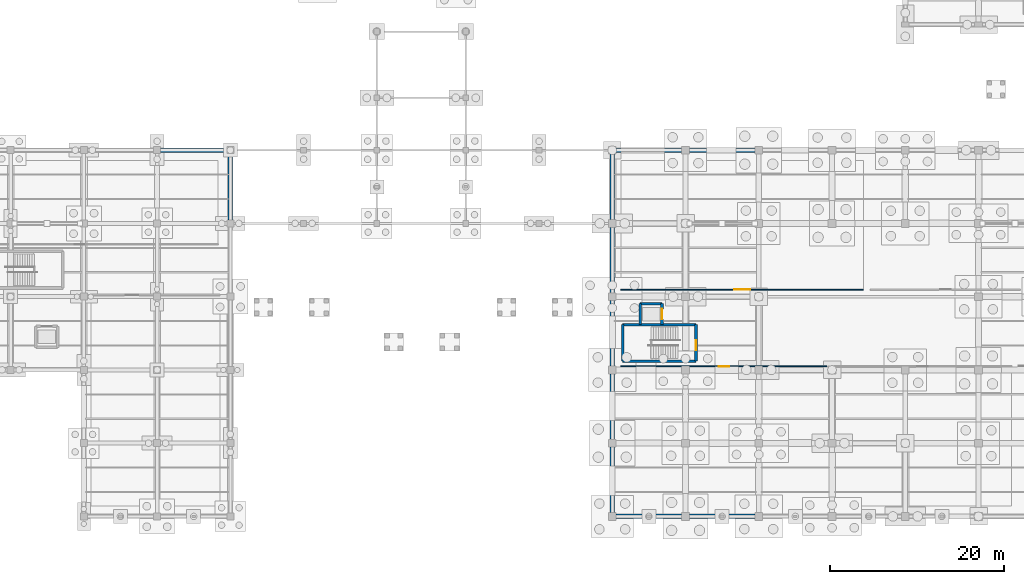
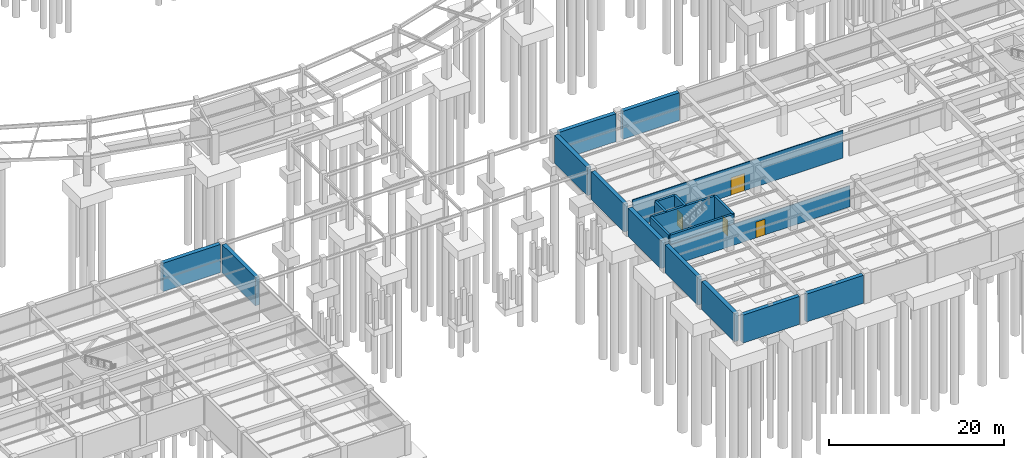
# One storey, part 26 of 38: 20 walls, 4 doors, 4 openings.
"""IFC4 building model written with IfcOpenShell, lengths in metres."""

from ifc_helpers import new_model, si_unit, direction, frame, frame_2d, origin, place, context, subcontext, project, spatial, rectangle, extrude, material, layer, layer_set, type_object, element, fill, save


model = new_model("IFC4")

# Units and contexts
model_context = context("Model", 3, precision=1e-05, world=origin(), true_north=direction((0.0, 1.0)))
body_context = subcontext(model_context, "Body", "Model", "MODEL_VIEW")
ifc_project = project(units=[si_unit("LENGTHUNIT", "METRE"), si_unit("AREAUNIT", "SQUARE_METRE"), si_unit("VOLUMEUNIT", "CUBIC_METRE"), si_unit("PLANEANGLEUNIT", "RADIAN"), si_unit("MASSUNIT", "GRAM", prefix="KILO"), si_unit("THERMODYNAMICTEMPERATUREUNIT", "KELVIN"), si_unit("POWERUNIT", "WATT")], contexts=[model_context])

# Site, building, storey
site_placement = place(None, origin())
site = spatial("IfcSite", under=ifc_project, at=site_placement, CompositionType="ELEMENT")
building_placement = place(site_placement, origin())
building = spatial("IfcBuilding", under=site, at=building_placement, Name="Darbajah Civic Hall", CompositionType="ELEMENT")
storey_placement = place(building_placement, frame((0.0, 0.0, -4.199951171875)))
storey = spatial("IfcBuildingStorey", under=building, at=storey_placement, Name="B01", CompositionType="ELEMENT", Elevation=-4.199951171875)

# Walls
ifc_material_1 = material(Name="Concrete C45/55", Category="concrete")
ifc_layer_1 = layer(ifc_material_1, 0.52001953125, Name="Concrete C45/55")
ifc_layer_set_1 = layer_set([ifc_layer_1], Name="Concrete C45/55")
wall_type_1 = type_object("IfcWallType", Name="Basement Perimeter Wall 520mm", PredefinedType="SOLIDWALL", material=ifc_layer_set_1)
wall_1_placement = place(storey_placement, frame((111.451904296875, 0.0, 0.0), z_axis=(0.0, 0.0, 1.0), x_axis=(1.0, 0.0, 0.0)))
element("IfcWall", 1, at=wall_1_placement, inside=storey, type_object=wall_type_1, Name="B01 exterior wall RW-520", PredefinedType="SOLIDWALL", context=body_context, shape_type="SweptSolid", body=[
    extrude(rectangle(XDim=7.49609375, YDim=0.52001953125, at=frame_2d((3.748046875, 0.0))), origin(), (0.0, 0.0, 1.0), 3.89990234375),
])
for number, where, z_axis, x_axis, name in (
    (2, (119.85205078125, 0.0, 0.0), (0.0, 0.0, 1.0), (1.0, 0.0, 0.0), "B01 exterior wall RW-520"),
    (3, (127.347900390625, 42.0, 0.0), (0.0, 0.0, 1.0), (-1.0, 0.0, 0.0), "B01 exterior wall RW-520"),
):
    element("IfcWall", number, at=place(storey_placement, frame(where, z_axis=z_axis, x_axis=x_axis)), inside=storey, type_object=wall_type_1, Name=name, PredefinedType="SOLIDWALL", context=body_context, shape_type="SweptSolid", body=[
        extrude(rectangle(XDim=7.495849609375, YDim=0.52001953125, at=frame_2d((3.748046875, 0.0))), origin(), (0.0, 0.0, 1.0), 3.89990234375),
    ])
for number, where, z_axis, x_axis, name in (
    (4, (118.947998046875, 42.0, 0.0), (0.0, 0.0, 1.0), (-1.0, 0.0, 0.0), "B01 exterior wall RW-520"),
    (5, (111.0, 41.548095703125, 0.0), (0.0, 0.0, 1.0), (0.0, -1.0, 0.0), "B01 exterior wall RW-520"),
):
    element("IfcWall", number, at=place(storey_placement, frame(where, z_axis=z_axis, x_axis=x_axis)), inside=storey, type_object=wall_type_1, Name=name, PredefinedType="SOLIDWALL", context=body_context, shape_type="SweptSolid", body=[
        extrude(rectangle(XDim=7.49609375, YDim=0.52001953125, at=frame_2d((3.748046875, 0.0))), origin(), (0.0, 0.0, 1.0), 3.89990234375),
    ])
wall_2_placement = place(storey_placement, frame((111.0, 33.14794921875, 0.0), z_axis=(0.0, 0.0, 1.0), x_axis=(0.0, -1.0, 0.0)))
element("IfcWall", 6, at=wall_2_placement, inside=storey, type_object=wall_type_1, Name="B01 exterior wall RW-520", PredefinedType="SOLIDWALL", context=body_context, shape_type="SweptSolid", body=[
    extrude(rectangle(XDim=7.495849609375, YDim=0.52001953125, at=frame_2d((3.748046875, 0.0))), origin(), (0.0, 0.0, 1.0), 3.89990234375),
])
wall_3_placement = place(storey_placement, frame((111.0, 24.748046875, 0.0), z_axis=(0.0, 0.0, 1.0), x_axis=(0.0, -1.0, 0.0)))
element("IfcWall", 7, at=wall_3_placement, inside=storey, type_object=wall_type_1, Name="B01 exterior wall RW-520", PredefinedType="SOLIDWALL", context=body_context, shape_type="SweptSolid", body=[
    extrude(rectangle(XDim=7.49609375, YDim=0.52001953125, at=frame_2d((3.748046875, 0.0))), origin(), (0.0, 0.0, 1.0), 3.89990234375),
])
wall_4_placement = place(storey_placement, frame((111.0, 16.347900390625, 0.0), z_axis=(0.0, 0.0, 1.0), x_axis=(0.0, -1.0, 0.0)))
element("IfcWall", 8, at=wall_4_placement, inside=storey, type_object=wall_type_1, Name="B01 exterior wall RW-520", PredefinedType="SOLIDWALL", context=body_context, shape_type="SweptSolid", body=[
    extrude(rectangle(XDim=7.495849609375, YDim=0.52001953125, at=frame_2d((3.748046875, 0.0))), origin(), (0.0, 0.0, 1.0), 3.89990234375),
])
wall_5_placement = place(storey_placement, frame((111.0, 7.947998046875, 0.0), z_axis=(0.0, 0.0, 1.0), x_axis=(0.0, -1.0, 0.0)))
element("IfcWall", 9, at=wall_5_placement, inside=storey, type_object=wall_type_1, Name="B01 exterior wall RW-520", PredefinedType="SOLIDWALL", context=body_context, shape_type="SweptSolid", body=[
    extrude(rectangle(XDim=7.49609375, YDim=0.52001953125, at=frame_2d((3.748046875, 0.0))), origin(), (0.0, 0.0, 1.0), 3.89990234375),
])
wall_6_placement = place(storey_placement, frame((67.199951171875, 34.001953125, 0.0), z_axis=(0.0, 0.0, 1.0), x_axis=(0.0, 1.0, 0.0)))
element("IfcWall", 10, at=wall_6_placement, inside=storey, type_object=wall_type_1, Name="B01 exterior wall RW-520", PredefinedType="SOLIDWALL", context=body_context, shape_type="SweptSolid", body=[
    extrude(rectangle(XDim=7.595947265625, YDim=0.52001953125, at=frame_2d((3.7978515625, 0.0))), origin(), (0.0, 0.0, 1.0), 3.93994140625),
])
wall_7_placement = place(storey_placement, frame((66.798095703125, 42.0, 0.0), z_axis=(0.0, 0.0, 1.0), x_axis=(-1.0, 0.0, 0.0)))
element("IfcWall", 11, at=wall_7_placement, inside=storey, type_object=wall_type_1, Name="B01 exterior wall RW-520", PredefinedType="SOLIDWALL", context=body_context, shape_type="SweptSolid", body=[
    extrude(rectangle(XDim=7.59619140625, YDim=0.52001953125, at=frame_2d((3.798095703125, 0.0))), origin(), (0.0, 0.0, 1.0), 3.93994140625),
])
ifc_layer_2 = layer(ifc_material_1, 0.300048828125, Name="Concrete C45/55")
ifc_layer_set_2 = layer_set([ifc_layer_2], Name="Concrete C45/55")
wall_type_2 = type_object("IfcWallType", Name="Core Shear Wall 300mm", PredefinedType="SHEAR", material=ifc_layer_set_2)
wall_8_placement = place(storey_placement, frame((112.199951171875, 17.800048828125, 0.0), z_axis=(0.0, 0.0, 1.0), x_axis=(1.0, 0.0, 0.0)))
element("IfcWall", 12, at=wall_8_placement, inside=storey, type_object=wall_type_2, Name="B01 core C06 shear wall S", PredefinedType="SHEAR", context=body_context, shape_type="SweptSolid", body=[
    extrude(rectangle(XDim=8.400146484375, YDim=0.300048828125, at=frame_2d((4.2001953125, 0.0))), origin(), (0.0, 0.0, 1.0), 3.919921875),
])

# Wall, opening, door
wall_9_placement = place(storey_placement, frame((120.60009765625, 17.800048828125, 0.0), z_axis=(0.0, 0.0, 1.0), x_axis=(0.0, 1.0, 0.0)))
wall_9 = element("IfcWall", 13, at=wall_9_placement, inside=storey, type_object=wall_type_2, Name="B01 core C06 shear wall E", PredefinedType="SHEAR", context=body_context, shape_type="SweptSolid", body=[
    extrude(rectangle(XDim=4.199951171875, YDim=0.300048828125, at=frame_2d((2.10009765625, 0.0))), origin(), (0.0, 0.0, 1.0), 3.919921875),
])
opening_1_placement = place(wall_9_placement, frame((1.25, 0.0, 0.0)))
opening_1 = element("IfcOpeningElement", 14, at=opening_1_placement, cuts=wall_9, Name="Opening SD-0072", PredefinedType="OPENING", context=body_context, shape_type="SweptSolid", body=[
    extrude(rectangle(XDim=1.14990234375, YDim=2.199951171875, at=frame_2d((0.574951171875, 1.10009765625))), frame((0.0, 0.159912109375, 0.0), z_axis=(0.0, -1.0, 0.0), x_axis=(1.0, 0.0, 0.0)), (0.0, 0.0, 1.0), 0.320068359375),
])
ifc_material_2 = material(Name="Steel Rated Core Door", Category="steel")
door_type_1 = type_object("IfcDoorType", Name="Interior Door 1150x2200", OperationType="NOTDEFINED", PredefinedType="DOOR", material=ifc_material_2)
door_1_placement = place(opening_1_placement, origin())
door_1 = element("IfcDoor", 15, at=door_1_placement, inside=storey, type_object=door_type_1, Name="B01 stair ST06 fire door SD-0072", OperationType="SINGLE_SWING_LEFT", OverallHeight=2.199951171875, OverallWidth=1.14990234375, PredefinedType="DOOR", context=body_context, shape_type="SweptSolid", body=[
    extrude(rectangle(XDim=1.14990234375, YDim=2.199951171875, at=frame_2d((0.574951171875, 1.10009765625))), frame((0.0, 0.02490234375, 0.0), z_axis=(0.0, -1.0, 0.0), x_axis=(1.0, 0.0, 0.0)), (0.0, 0.0, 1.0), 0.050048828125),
])
fill(opening_1, door_1)

# Walls
wall_10_placement = place(storey_placement, frame((120.60009765625, 22.0, 0.0), z_axis=(0.0, 0.0, 1.0), x_axis=(-1.0, 0.0, 0.0)))
element("IfcWall", 16, at=wall_10_placement, inside=storey, type_object=wall_type_2, Name="B01 core C06 shear wall N", PredefinedType="SHEAR", context=body_context, shape_type="SweptSolid", body=[
    extrude(rectangle(XDim=8.400146484375, YDim=0.300048828125, at=frame_2d((4.2001953125, 0.0))), origin(), (0.0, 0.0, 1.0), 3.919921875),
])
wall_11_placement = place(storey_placement, frame((112.199951171875, 22.0, 0.0), z_axis=(0.0, 0.0, 1.0), x_axis=(0.0, -1.0, 0.0)))
element("IfcWall", 17, at=wall_11_placement, inside=storey, type_object=wall_type_2, Name="B01 core C06 shear wall W", PredefinedType="SHEAR", context=body_context, shape_type="SweptSolid", body=[
    extrude(rectangle(XDim=4.199951171875, YDim=0.300048828125, at=frame_2d((2.10009765625, 0.0))), origin(), (0.0, 0.0, 1.0), 3.919921875),
])
wall_12_placement = place(storey_placement, frame((116.699951171875, 24.39990234375, 0.0), z_axis=(0.0, 0.0, 1.0), x_axis=(-1.0, 0.0, 0.0)))
element("IfcWall", 18, at=wall_12_placement, inside=storey, type_object=wall_type_2, Name="B01 lift PL3 shaft wall N", PredefinedType="SHEAR", context=body_context, shape_type="SweptSolid", body=[
    extrude(rectangle(XDim=2.5, YDim=0.300048828125, at=frame_2d((1.25, 0.0))), origin(), (0.0, 0.0, 1.0), 3.919921875),
])
wall_13_placement = place(storey_placement, frame((114.199951171875, 24.39990234375, 0.0), z_axis=(0.0, 0.0, 1.0), x_axis=(0.0, -1.0, 0.0)))
element("IfcWall", 19, at=wall_13_placement, inside=storey, type_object=wall_type_2, Name="B01 lift PL3 shaft wall W", PredefinedType="SHEAR", context=body_context, shape_type="SweptSolid", body=[
    extrude(rectangle(XDim=2.39990234375, YDim=0.300048828125, at=frame_2d((1.199951171875, 0.0))), origin(), (0.0, 0.0, 1.0), 3.919921875),
])

# Wall, opening, door
wall_14_placement = place(storey_placement, frame((116.699951171875, 22.0, 0.0), z_axis=(0.0, 0.0, 1.0), x_axis=(0.0, 1.0, 0.0)))
wall_14 = element("IfcWall", 20, at=wall_14_placement, inside=storey, type_object=wall_type_2, Name="B01 lift PL3 shaft wall E", PredefinedType="SHEAR", context=body_context, shape_type="SweptSolid", body=[
    extrude(rectangle(XDim=2.39990234375, YDim=0.300048828125, at=frame_2d((1.199951171875, 0.0))), origin(), (0.0, 0.0, 1.0), 3.919921875),
])
opening_2_placement = place(wall_14_placement, frame((0.60009765625, 0.0, 0.0)))
opening_2 = element("IfcOpeningElement", 21, at=opening_2_placement, cuts=wall_14, Name="Opening LD-0076", PredefinedType="OPENING", context=body_context, shape_type="SweptSolid", body=[
    extrude(rectangle(XDim=1.199951171875, YDim=2.25, at=frame_2d((0.60009765625, 1.125))), frame((0.0, 0.159912109375, 0.0), z_axis=(0.0, -1.0, 0.0), x_axis=(1.0, 0.0, 0.0)), (0.0, 0.0, 1.0), 0.320068359375),
])
ifc_material_3 = material(Name="Stainless Lift Landing Door")
door_type_2 = type_object("IfcDoorType", Name="Lift Landing Door 1200x2250", OperationType="SLIDING_TO_LEFT", PredefinedType="DOOR", material=ifc_material_3)
door_2_placement = place(opening_2_placement, origin())
door_2 = element("IfcDoor", 22, at=door_2_placement, inside=storey, type_object=door_type_2, Name="B01 lift PL3 landing door LD-0076", OperationType="SLIDING_TO_LEFT", OverallHeight=2.25, OverallWidth=1.199951171875, PredefinedType="DOOR", context=body_context, shape_type="SweptSolid", body=[
    extrude(rectangle(XDim=1.199951171875, YDim=2.25, at=frame_2d((0.60009765625, 1.125))), frame((0.0, 0.02490234375, 0.0), z_axis=(0.0, -1.0, 0.0), x_axis=(1.0, 0.0, 0.0)), (0.0, 0.0, 1.0), 0.050048828125),
])
fill(opening_2, door_2)

ifc_material_4 = material(Name="Acoustic Gypsum Partition")
ifc_layer_3 = layer(ifc_material_4, 0.114990234375, Name="Acoustic Gypsum Partition")
ifc_layer_set_3 = layer_set([ifc_layer_3], Name="Acoustic Gypsum Partition")
wall_type_3 = type_object("IfcWallType", Name="Interior Partition 115mm", PredefinedType="PARTITIONING", material=ifc_layer_set_3)
wall_15_placement = place(storey_placement, frame((112.0, 17.199951171875, 0.0), z_axis=(0.0, 0.0, 1.0), x_axis=(1.0, 0.0, 0.0)))
wall_15 = element("IfcWall", 23, at=wall_15_placement, inside=storey, type_object=wall_type_3, Name="B01 interior partition B01-02", PredefinedType="PARTITIONING", context=body_context, shape_type="SweptSolid", body=[
    extrude(rectangle(XDim=23.60009765625, YDim=0.114990234375, at=frame_2d((11.800048828125, 0.0))), origin(), (0.0, 0.0, 1.0), 2.949951171875),
])
opening_3_placement = place(wall_15_placement, frame((11.199951171875, 0.0, 0.0)))
opening_3 = element("IfcOpeningElement", 24, at=opening_3_placement, cuts=wall_15, Name="Opening D-0136", PredefinedType="OPENING", context=body_context, shape_type="SweptSolid", body=[
    extrude(rectangle(XDim=1.199951171875, YDim=2.199951171875, at=frame_2d((0.60009765625, 1.10009765625))), frame((0.0, 0.0673828125, 0.0), z_axis=(0.0, -1.0, 0.0), x_axis=(1.0, 0.0, 0.0)), (0.0, 0.0, 1.0), 0.135009765625),
])
ifc_material_5 = material(Name="Painted Hardwood Fire Door", Category="wood")
door_type_3 = type_object("IfcDoorType", Name="Interior Door 1200x2200", OperationType="NOTDEFINED", PredefinedType="DOOR", material=ifc_material_5)
door_3_placement = place(opening_3_placement, origin())
door_3 = element("IfcDoor", 25, at=door_3_placement, inside=storey, type_object=door_type_3, Name="B01 B01-02 door D-0136", OperationType="SINGLE_SWING_LEFT", OverallHeight=2.199951171875, OverallWidth=1.199951171875, PredefinedType="DOOR", context=body_context, shape_type="SweptSolid", body=[
    extrude(rectangle(XDim=1.199951171875, YDim=2.199951171875, at=frame_2d((0.60009765625, 1.10009765625))), frame((0.0, 0.02490234375, 0.0), z_axis=(0.0, -1.0, 0.0), x_axis=(1.0, 0.0, 0.0)), (0.0, 0.0, 1.0), 0.050048828125),
])
fill(opening_3, door_3)

wall_16_placement = place(storey_placement, frame((112.0, 26.0, 0.0), z_axis=(0.0, 0.0, 1.0), x_axis=(1.0, 0.0, 0.0)))
wall_16 = element("IfcWall", 26, at=wall_16_placement, inside=storey, type_object=wall_type_3, Name="B01 interior partition B01-05", PredefinedType="PARTITIONING", context=body_context, shape_type="SweptSolid", body=[
    extrude(rectangle(XDim=27.800048828125, YDim=0.114990234375, at=frame_2d((13.89990234375, 0.0))), origin(), (0.0, 0.0, 1.0), 3.85986328125),
])
opening_4_placement = place(wall_16_placement, frame((13.0, 0.0, 0.0)))
opening_4 = element("IfcOpeningElement", 27, at=opening_4_placement, cuts=wall_16, Name="Opening D-0139", PredefinedType="OPENING", context=body_context, shape_type="SweptSolid", body=[
    extrude(rectangle(XDim=1.800048828125, YDim=2.39990234375, at=frame_2d((0.89990234375, 1.199951171875))), frame((0.0, 0.0673828125, 0.0), z_axis=(0.0, -1.0, 0.0), x_axis=(1.0, 0.0, 0.0)), (0.0, 0.0, 1.0), 0.135009765625),
])
door_type_4 = type_object("IfcDoorType", Name="Interior Door 1800x2400", OperationType="NOTDEFINED", PredefinedType="DOOR", material=ifc_material_5)
door_4_placement = place(opening_4_placement, origin())
door_4 = element("IfcDoor", 28, at=door_4_placement, inside=storey, type_object=door_type_4, Name="B01 B01-05 door D-0139", OperationType="DOUBLE_DOOR_SINGLE_SWING", OverallHeight=2.39990234375, OverallWidth=1.800048828125, PredefinedType="DOOR", context=body_context, shape_type="SweptSolid", body=[
    extrude(rectangle(XDim=1.800048828125, YDim=2.39990234375, at=frame_2d((0.89990234375, 1.199951171875))), frame((0.0, 0.02490234375, 0.0), z_axis=(0.0, -1.0, 0.0), x_axis=(1.0, 0.0, 0.0)), (0.0, 0.0, 1.0), 0.050048828125),
])
fill(opening_4, door_4)

save(model, "model.ifc")
